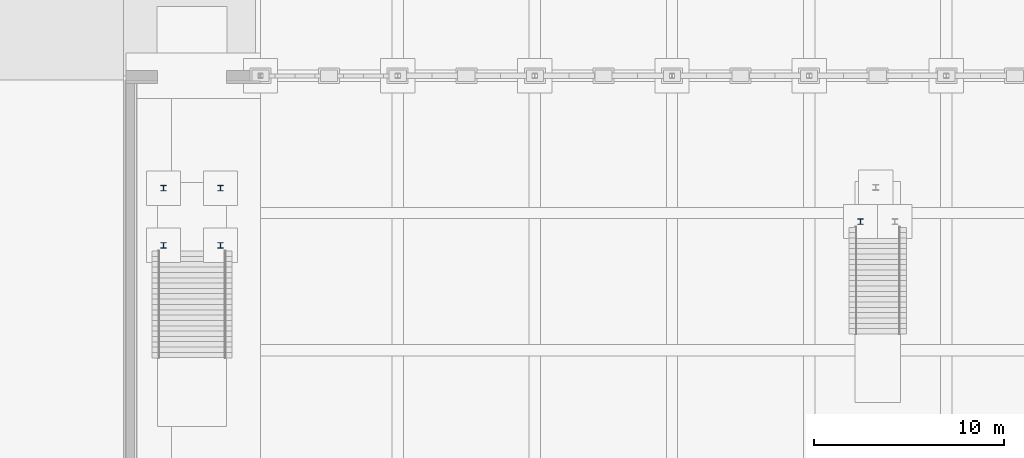
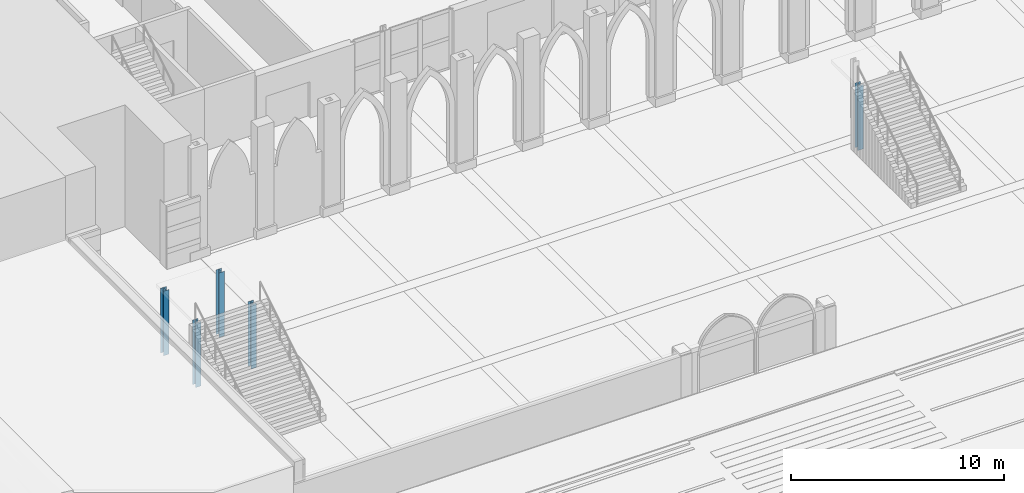
# One storey, part 36 of 148: 5 columns.
"""IFC4 building model written with IfcOpenShell, lengths in metres."""

from ifc_helpers import new_model, si_unit, direction, frame, origin, origin_2d, place, context, subcontext, project, spatial, i_section, extrude, material, material_profile, profile_set, type_object, element, save


model = new_model("IFC4")

# Units and contexts
model_context = context("Model", 3, precision=1e-05, world=origin(), true_north=direction((0.0, 1.0)))
body_context = subcontext(model_context, "Body", "Model", "MODEL_VIEW")
ifc_project = project(units=[si_unit("LENGTHUNIT", "METRE"), si_unit("AREAUNIT", "SQUARE_METRE"), si_unit("VOLUMEUNIT", "CUBIC_METRE"), si_unit("PLANEANGLEUNIT", "RADIAN"), si_unit("MASSUNIT", "GRAM", prefix="KILO")], contexts=[model_context])

# Site, building, storey
site_placement = place(None, origin())
site = spatial("IfcSite", under=ifc_project, at=site_placement, CompositionType="ELEMENT")
building_placement = place(site_placement, origin())
building = spatial("IfcBuilding", under=site, at=building_placement, Name="Kupolbacken Congress Centre", CompositionType="ELEMENT")
storey_placement = place(building_placement, origin())
storey = spatial("IfcBuildingStorey", under=building, at=storey_placement, Name="L00", CompositionType="ELEMENT", Elevation=0.0)

# Columns
ifc_material = material(Name="Steel S355", Category="steel")
ifc_material_profile = material_profile(ifc_material, i_section(OverallWidth=0.300048828125, OverallDepth=0.2900390625, WebThickness=0.008544921875, FlangeThickness=0.013916015625, FilletRadius=0.027099609375, at=origin_2d()), Name="HEA 300")
ifc_profile_set = profile_set([ifc_material_profile], Name="Steel S355")
column_type = type_object("IfcColumnType", Name="C09 column HEA 300", PredefinedType="COLUMN", material=ifc_profile_set)
for number, where, z_axis, x_axis, name in (
    (1, (2.10009765625, 12.699951171875, -0.300048828125), (0.0, 0.0, 1.0), (1.0, 0.0, 0.0), "C/xcol/XS1/1/L00"),
    (2, (5.10009765625, 12.699951171875, -0.300048828125), (0.0, 0.0, 1.0), (1.0, 0.0, 0.0), "C/xcol/XS1/2/L00"),
    (3, (2.10009765625, 15.699951171875, -0.300048828125), (0.0, 0.0, 1.0), (1.0, 0.0, 0.0), "C/xcol/XS1/3/L00"),
    (4, (5.10009765625, 15.699951171875, -0.300048828125), (0.0, 0.0, 1.0), (1.0, 0.0, 0.0), "C/xcol/XS1/4/L00"),
    (5, (38.699951171875, 13.949951171875, -0.300048828125), (0.0, 0.0, 1.0), (1.0, 0.0, 0.0), "C/xcol/XS4/1/L00"),
):
    element("IfcColumn", number, at=place(storey_placement, frame(where, z_axis=z_axis, x_axis=x_axis)), inside=storey, type_object=column_type, Name=name, PredefinedType="COLUMN", context=body_context, shape_type="SweptSolid", body=[
        extrude(i_section(OverallWidth=0.300048828125, OverallDepth=0.2900390625, WebThickness=0.008544921875, FlangeThickness=0.013916015625, FilletRadius=0.027099609375, at=origin_2d()), origin(), (0.0, 0.0, 1.0), 3.695068359375),
    ])

save(model, "model.ifc")
